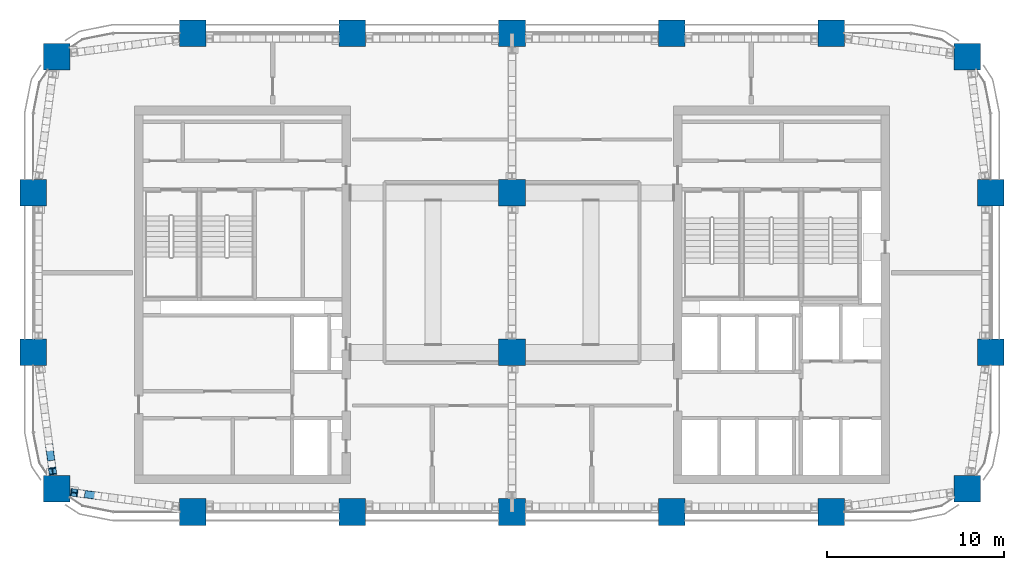
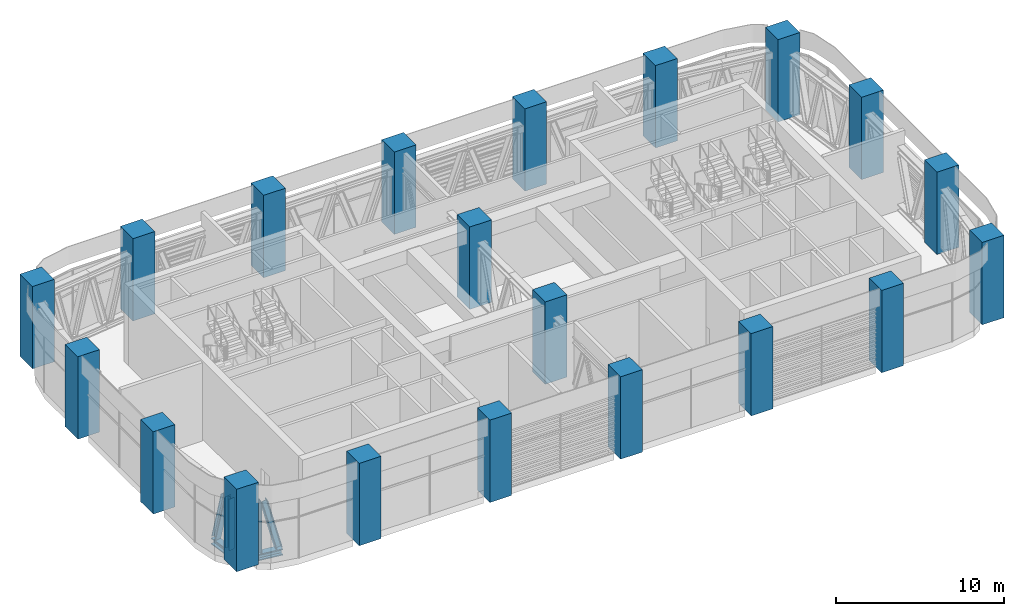
# One storey, part 1 of 19: 20 columns, 6 members.
"""IFC4 building model written with IfcOpenShell, lengths in metres."""

from ifc_helpers import new_model, si_unit, direction, frame, origin, origin_2d, place, context, subcontext, project, spatial, rectangle, i_section, extrude, material, material_profile, profile_set, type_object, element, save


model = new_model("IFC4")

# Units and contexts
model_context = context("Model", 3, precision=1e-05, world=origin(), true_north=direction((0.0, 1.0)))
body_context = subcontext(model_context, "Body", "Model", "MODEL_VIEW")
ifc_project = project(units=[si_unit("LENGTHUNIT", "METRE"), si_unit("AREAUNIT", "SQUARE_METRE"), si_unit("VOLUMEUNIT", "CUBIC_METRE"), si_unit("PLANEANGLEUNIT", "RADIAN"), si_unit("MASSUNIT", "GRAM", prefix="KILO")], contexts=[model_context])

# Site, building, storey
site_placement = place(None, origin())
site = spatial("IfcSite", under=ifc_project, at=site_placement, CompositionType="ELEMENT")
building_placement = place(site_placement, origin())
building = spatial("IfcBuilding", under=site, at=building_placement, Name="Tessera Arch", CompositionType="ELEMENT")
storey_placement = place(building_placement, frame((0.0, 0.0, 197.300048828125)))
storey = spatial("IfcBuildingStorey", under=building, at=storey_placement, Name="L47", CompositionType="ELEMENT", Elevation=197.300048828125)

# Columns
ifc_material_1 = material(Name="Concrete C70/85", Category="concrete")
ifc_material_profile_1 = material_profile(ifc_material_1, rectangle(XDim=1.5, YDim=1.5, at=origin_2d()), Name="RC column 1500 x 1500 Concrete C70/85")
ifc_profile_set_1 = profile_set([ifc_material_profile_1], Name="Concrete C70/85")
column_type = type_object("IfcColumnType", Name="RC column 1500 x 1500 Concrete C70/85", PredefinedType="COLUMN", material=ifc_profile_set_1)
for number, where, z_axis, x_axis, name in (
    (1, (1.318115234375, 28.318115234375, 0.0), (0.0, 0.0, 1.0), (1.0, 0.0, 0.0), "Column C1D L47"),
    (2, (0.0, 36.0, 0.0), (0.0, 0.0, 1.0), (1.0, 0.0, 0.0), "Column C1E L47"),
    (3, (0.0, 45.0, 0.0), (0.0, 0.0, 1.0), (1.0, 0.0, 0.0), "Column C1F L47"),
    (4, (1.318115234375, 52.681884765625, 0.0), (0.0, 0.0, 1.0), (1.0, 0.0, 0.0), "Column C1G L47"),
    (5, (9.0, 27.0, 0.0), (0.0, 0.0, 1.0), (1.0, 0.0, 0.0), "Column C2D L47"),
    (6, (9.0, 54.0, 0.0), (0.0, 0.0, 1.0), (1.0, 0.0, 0.0), "Column C2G L47"),
    (7, (18.0, 27.0, 0.0), (0.0, 0.0, 1.0), (1.0, 0.0, 0.0), "Column C3D L47"),
    (8, (18.0, 54.0, 0.0), (0.0, 0.0, 1.0), (1.0, 0.0, 0.0), "Column C3G L47"),
    (9, (27.0, 27.0, 0.0), (0.0, 0.0, 1.0), (1.0, 0.0, 0.0), "Column C4D L47"),
    (10, (27.0, 36.0, 0.0), (0.0, 0.0, 1.0), (1.0, 0.0, 0.0), "Column C4E L47"),
    (11, (27.0, 45.0, 0.0), (0.0, 0.0, 1.0), (1.0, 0.0, 0.0), "Column C4F L47"),
    (12, (27.0, 54.0, 0.0), (0.0, 0.0, 1.0), (1.0, 0.0, 0.0), "Column C4G L47"),
    (13, (36.0, 27.0, 0.0), (0.0, 0.0, 1.0), (1.0, 0.0, 0.0), "Column C5D L47"),
    (14, (36.0, 54.0, 0.0), (0.0, 0.0, 1.0), (1.0, 0.0, 0.0), "Column C5G L47"),
    (15, (45.0, 27.0, 0.0), (0.0, 0.0, 1.0), (1.0, 0.0, 0.0), "Column C6D L47"),
    (16, (45.0, 54.0, 0.0), (0.0, 0.0, 1.0), (1.0, 0.0, 0.0), "Column C6G L47"),
    (17, (52.681884765625, 28.318115234375, 0.0), (0.0, 0.0, 1.0), (1.0, 0.0, 0.0), "Column C7D L47"),
    (18, (54.0, 36.0, 0.0), (0.0, 0.0, 1.0), (1.0, 0.0, 0.0), "Column C7E L47"),
    (19, (54.0, 45.0, 0.0), (0.0, 0.0, 1.0), (1.0, 0.0, 0.0), "Column C7F L47"),
    (20, (52.681884765625, 52.681884765625, 0.0), (0.0, 0.0, 1.0), (1.0, 0.0, 0.0), "Column C7G L47"),
):
    element("IfcColumn", number, at=place(storey_placement, frame(where, z_axis=z_axis, x_axis=x_axis)), inside=storey, type_object=column_type, Name=name, PredefinedType="COLUMN", context=body_context, shape_type="SweptSolid", body=[
        extrude(rectangle(XDim=1.5, YDim=1.5, at=origin_2d()), origin(), (0.0, 0.0, 1.0), 6.0),
    ])

# Members
ifc_material_2 = material(Name="Steel A992 Gr50", Category="steel")
ifc_material_profile_2 = material_profile(ifc_material_2, i_section(OverallWidth=0.424072265625, OverallDepth=0.47412109375, WebThickness=0.047607421875, FlangeThickness=0.0771484375, at=origin_2d()), Name="W14x426")
ifc_profile_set_2 = profile_set([ifc_material_profile_2], Name="Steel A992 Gr50")
member_type_1 = type_object("IfcMemberType", Name="Truss chord W14x426", PredefinedType="CHORD", material=ifc_profile_set_2)
for number, where, z_axis, x_axis, name in (
    (21, (0.886474609375, 30.831298828125, 0.237060546875), (0.130995650163, -0.991382942983, 0.0), (0.991382942983, 0.130995650163, 0.0), "Belt truss bottom chord 3"),
    (22, (2.107421875, 28.1142578125, 0.237060546875), (0.991382942983, -0.130995650163, 0.0), (0.130995650163, 0.991382942983, 0.0), "Belt truss bottom chord 1"),
):
    element("IfcMember", number, at=place(storey_placement, frame(where, z_axis=z_axis, x_axis=x_axis)), inside=storey, type_object=member_type_1, Name=name, PredefinedType="CHORD", context=body_context, shape_type="SweptSolid", body=[
        extrude(i_section(OverallWidth=0.424072265625, OverallDepth=0.47412109375, WebThickness=0.047607421875, FlangeThickness=0.0771484375, at=origin_2d()), origin(), (0.0, 0.0, 1.0), 1.73876953125),
    ])
ifc_material_3 = material(Name="Steel A992 Gr50", Category="steel")
ifc_material_profile_3 = material_profile(ifc_material_3, i_section(OverallWidth=0.406494140625, OverallDepth=0.41650390625, WebThickness=0.030029296875, FlangeThickness=0.048095703125, at=origin_2d()), Name="W14x257")
ifc_profile_set_3 = profile_set([ifc_material_profile_3], Name="Steel A992 Gr50")
member_type_2 = type_object("IfcMemberType", Name="Truss diagonal W14x257", PredefinedType="BRACE", material=ifc_profile_set_3)
for number, where, z_axis, x_axis, name in (
    (23, (0.91357421875, 30.626708984375, 0.543701171875), (0.032717486077, -0.247867674519, 0.968241282963), (0.991400763432, 0.13086071323, 0.0), "Belt truss diagonal 4"),
    (24, (2.701904296875, 28.03564453125, 4.15625), (0.247867674519, -0.032717486077, -0.968241282963), (0.13086071323, 0.991400763432, 0.0), "Belt truss diagonal 1"),
):
    element("IfcMember", number, at=place(storey_placement, frame(where, z_axis=z_axis, x_axis=x_axis)), inside=storey, type_object=member_type_2, Name=name, PredefinedType="BRACE", context=body_context, shape_type="SweptSolid", body=[
        extrude(i_section(OverallWidth=0.406494140625, OverallDepth=0.41650390625, WebThickness=0.030029296875, FlangeThickness=0.048095703125, at=origin_2d()), origin(), (0.0, 0.0, 1.0), 3.73095703125),
    ])
ifc_material_4 = material(Name="Steel A992 Gr50", Category="steel")
ifc_material_profile_4 = material_profile(ifc_material_4, i_section(OverallWidth=0.398681640625, OverallDepth=0.393798828125, WebThickness=0.022705078125, FlangeThickness=0.03662109375, at=origin_2d()), Name="W14x193")
ifc_profile_set_4 = profile_set([ifc_material_profile_4], Name="Steel A992 Gr50")
member_type_3 = type_object("IfcMemberType", Name="Truss post W14x193", PredefinedType="POST", material=ifc_profile_set_4)
for number, where, z_axis, x_axis, name in (
    (25, (1.088623046875, 29.302490234375, 0.47412109375), (0.0, 0.0, 1.0), (0.991381984675, 0.131002902497, 0.0), "Belt truss end post 2"),
    (26, (2.302490234375, 28.088623046875, 0.47412109375), (0.0, 0.0, 1.0), (0.131002902497, 0.991381984675, 0.0), "Belt truss end post 1"),
):
    element("IfcMember", number, at=place(storey_placement, frame(where, z_axis=z_axis, x_axis=x_axis)), inside=storey, type_object=member_type_3, Name=name, PredefinedType="POST", context=body_context, shape_type="SweptSolid", body=[
        extrude(i_section(OverallWidth=0.398681640625, OverallDepth=0.393798828125, WebThickness=0.022705078125, FlangeThickness=0.03662109375, at=origin_2d()), origin(), (0.0, 0.0, 1.0), 3.751708984375),
    ])

save(model, "model.ifc")
